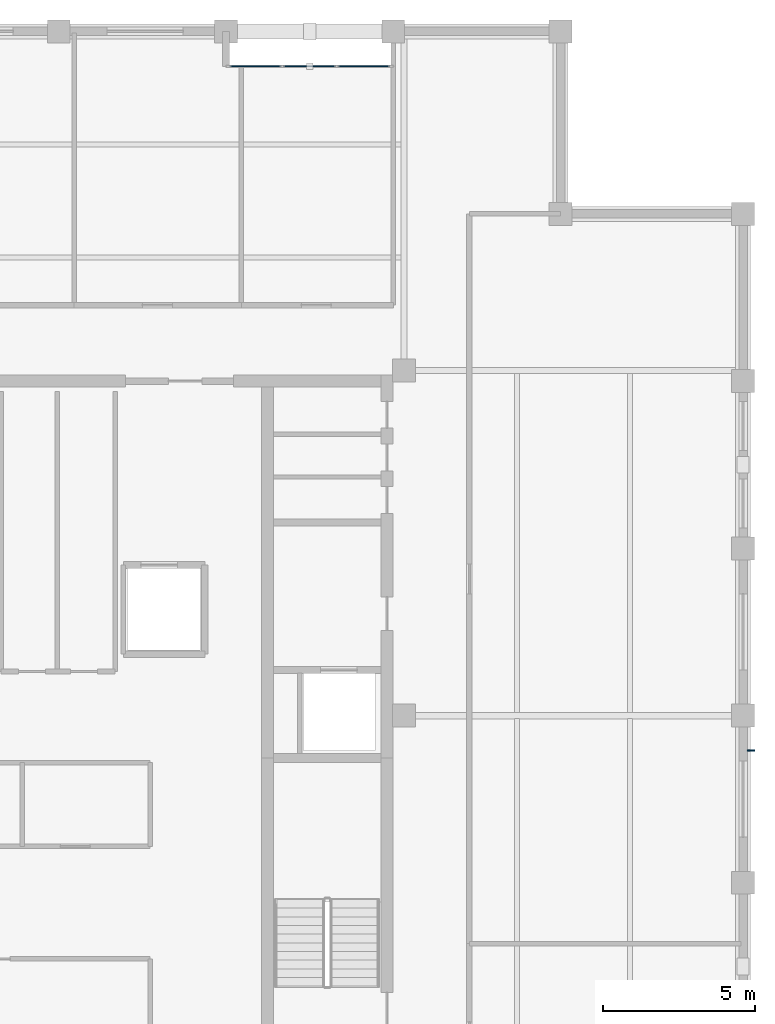
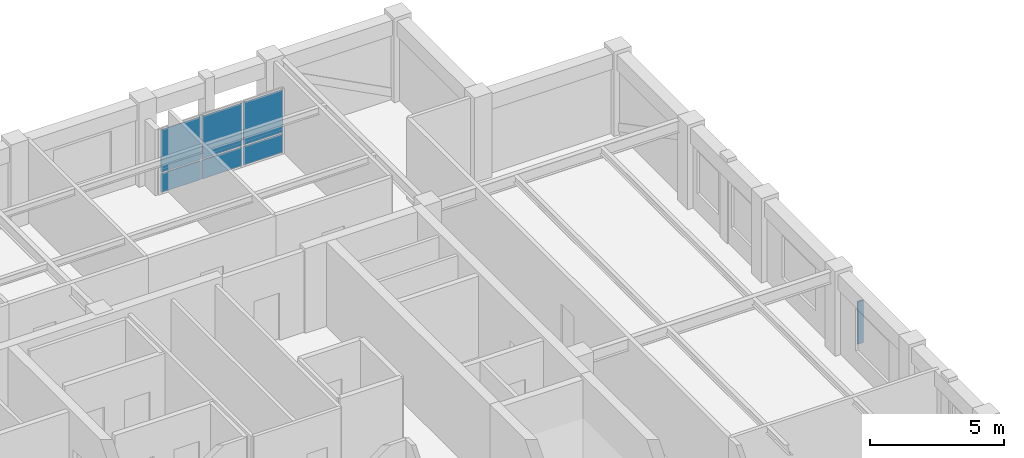
# One storey, part 5 of 10: 7 plates, 1 element without a shape of its own.
"""IFC4 building model written with IfcOpenShell, lengths in metres."""

from ifc_helpers import new_model, si_unit, direction, frame, origin, origin_2d, place, context, subcontext, project, spatial, rectangle, extrude, material, layer, layer_set, type_object, element, aggregate, save


model = new_model("IFC4")

# Units and contexts
model_context = context("Model", 3, precision=1e-05, world=origin(), true_north=direction((0.0, 1.0)))
body_context = subcontext(model_context, "Body", "Model", "MODEL_VIEW")
ifc_project = project(units=[si_unit("LENGTHUNIT", "METRE"), si_unit("AREAUNIT", "SQUARE_METRE"), si_unit("VOLUMEUNIT", "CUBIC_METRE"), si_unit("PLANEANGLEUNIT", "RADIAN"), si_unit("MASSUNIT", "GRAM", prefix="KILO")], contexts=[model_context])

# Site, building, storey
site_placement = place(None, origin())
site = spatial("IfcSite", under=ifc_project, at=site_placement, CompositionType="ELEMENT")
building_placement = place(site_placement, origin())
building = spatial("IfcBuilding", under=site, at=building_placement, Name="Nhamokura Convention Tower", CompositionType="ELEMENT")
storey_placement = place(building_placement, frame((0.0, 0.0, 277.550048828125)))
storey = spatial("IfcBuildingStorey", under=building, at=storey_placement, Name="L68", CompositionType="ELEMENT", Elevation=277.550048828125)

# Plate
ifc_material_1 = material(Name="Anodised bronze aluminium AA6063-T6", Category="aluminium")
plate_type_1 = type_object("IfcPlateType", Name="BronzeSolarFin_3", PredefinedType="USERDEFINED", material=ifc_material_1)
plate_1_placement = place(storey_placement, frame((54.760009765625, 30.85009765625, 0.849853515625), z_axis=(0.0, 0.0, 1.0), x_axis=(1.0, 0.0, 0.0)))
element("IfcPlate", 1, at=plate_1_placement, inside=storey, type_object=plate_type_1, Name="L68 Bronze Solar Shading Fin EAST 2", ObjectType="SOLAR_FIN", PredefinedType="USERDEFINED", context=body_context, shape_type="SweptSolid", body=[
    extrude(rectangle(XDim=0.239990234375, YDim=0.06005859375, at=origin_2d()), origin(), (0.0, 0.0, 1.0), 1.93505859375),
])

# Curtain wall, plates
ifc_material_2 = material(Name="Anodised bronze aluminium AA6063-T6", Category="aluminium")
ifc_layer_1 = layer(ifc_material_2, 0.155029296875)
ifc_layer_set_1 = layer_set([ifc_layer_1], Name="CWSystem_ScaleSlot_Zone3")
curtain_wall_type = type_object("IfcCurtainWallType", Name="CWSystem_ScaleSlot_Zone3", PredefinedType="NOTDEFINED", material=ifc_layer_set_1)
curtain_wall_placement = place(storey_placement, origin())
curtain_wall = element("IfcCurtainWall", 2, at=curtain_wall_placement, inside=storey, type_object=curtain_wall_type, Name="L68 Curtain Wall ENV-L68-SLOT-N4", PredefinedType="NOTDEFINED")
ifc_material_3 = material(Name="Solar-control bronze low-E double glass", Category="glass")
ifc_layer_2 = layer(ifc_material_3, 0.0400390625)
ifc_layer_set_2 = layer_set([ifc_layer_2], Name="CWGlazedPanel_3")
plate_type_2 = type_object("IfcPlateType", Name="CWGlazedPanel_3", PredefinedType="CURTAIN_PANEL", material=ifc_layer_set_2)
plate_2_placement = place(storey_placement, frame((38.472900390625, 53.35009765625, 0.06494140625), z_axis=(0.0, 0.0, 1.0), x_axis=(1.0, 0.0, 0.0)))
plate_2 = element("IfcPlate", 3, at=plate_2_placement, type_object=plate_type_2, Name="CW-05 panel 1.1", PredefinedType="CURTAIN_PANEL", context=body_context, shape_type="SweptSolid", body=[
    extrude(rectangle(XDim=1.69580078125, YDim=0.0400390625, at=origin_2d()), origin(), (0.0, 0.0, 1.0), 0.8525390625),
])
plate_3_placement = place(storey_placement, frame((38.472900390625, 53.35009765625, 0.982421875), z_axis=(0.0, 0.0, 1.0), x_axis=(1.0, 0.0, 0.0)))
plate_3 = element("IfcPlate", 4, at=plate_3_placement, type_object=plate_type_2, Name="CW-05 panel 1.2", PredefinedType="CURTAIN_PANEL", context=body_context, shape_type="SweptSolid", body=[
    extrude(rectangle(XDim=1.69580078125, YDim=0.0400390625, at=origin_2d()), origin(), (0.0, 0.0, 1.0), 1.9375),
])
plate_4_placement = place(storey_placement, frame((40.25, 53.35009765625, 0.06494140625), z_axis=(0.0, 0.0, 1.0), x_axis=(1.0, 0.0, 0.0)))
plate_4 = element("IfcPlate", 5, at=plate_4_placement, type_object=plate_type_2, Name="CW-05 panel 2.1", PredefinedType="CURTAIN_PANEL", context=body_context, shape_type="SweptSolid", body=[
    extrude(rectangle(XDim=1.728271484375, YDim=0.0400390625, at=origin_2d()), origin(), (0.0, 0.0, 1.0), 0.8525390625),
])
plate_5_placement = place(storey_placement, frame((40.25, 53.35009765625, 0.982421875), z_axis=(0.0, 0.0, 1.0), x_axis=(1.0, 0.0, 0.0)))
plate_5 = element("IfcPlate", 6, at=plate_5_placement, type_object=plate_type_2, Name="CW-05 panel 2.2", PredefinedType="CURTAIN_PANEL", context=body_context, shape_type="SweptSolid", body=[
    extrude(rectangle(XDim=1.728271484375, YDim=0.0400390625, at=origin_2d()), origin(), (0.0, 0.0, 1.0), 1.9375),
])
plate_6_placement = place(storey_placement, frame((42.027099609375, 53.35009765625, 0.06494140625), z_axis=(0.0, 0.0, 1.0), x_axis=(1.0, 0.0, 0.0)))
plate_6 = element("IfcPlate", 7, at=plate_6_placement, type_object=plate_type_2, Name="CW-05 panel 3.1", PredefinedType="CURTAIN_PANEL", context=body_context, shape_type="SweptSolid", body=[
    extrude(rectangle(XDim=1.69580078125, YDim=0.0400390625, at=origin_2d()), origin(), (0.0, 0.0, 1.0), 0.8525390625),
])
plate_7_placement = place(storey_placement, frame((42.027099609375, 53.35009765625, 0.982421875), z_axis=(0.0, 0.0, 1.0), x_axis=(1.0, 0.0, 0.0)))
plate_7 = element("IfcPlate", 8, at=plate_7_placement, type_object=plate_type_2, Name="CW-05 panel 3.2", PredefinedType="CURTAIN_PANEL", context=body_context, shape_type="SweptSolid", body=[
    extrude(rectangle(XDim=1.69580078125, YDim=0.0400390625, at=origin_2d()), origin(), (0.0, 0.0, 1.0), 1.9375),
])
aggregate(curtain_wall, [plate_2, plate_3, plate_4, plate_5, plate_6, plate_7])

save(model, "model.ifc")
